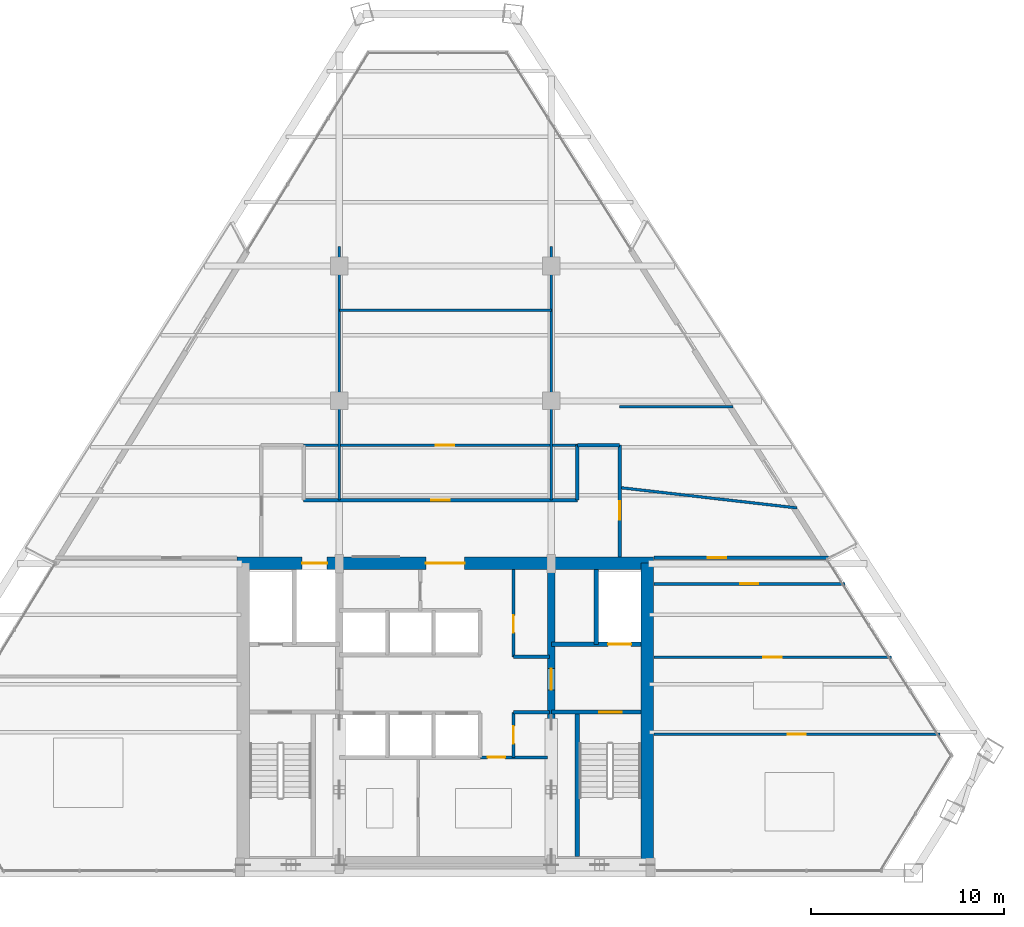
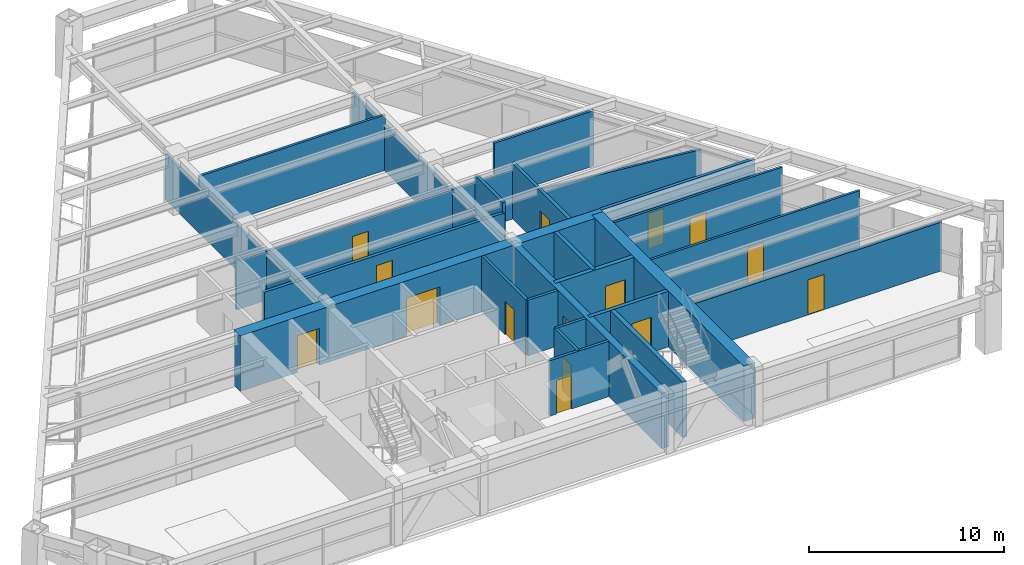
# One storey, part 12 of 15: 26 walls, 15 doors, 15 openings.
"""IFC4 building model written with IfcOpenShell, lengths in metres."""

from ifc_helpers import new_model, si_unit, direction, frame, frame_2d, origin, place, context, subcontext, project, spatial, rectangle, extrude, source, transform, mapped, material, layer, layer_set, type_object, type_shapes, element, fill, save


model = new_model("IFC4")

# Units and contexts
model_context = context("Model", 3, precision=1e-05, world=origin(), true_north=direction((0.0, 1.0)))
body_context = subcontext(model_context, "Body", "Model", "MODEL_VIEW")
ifc_project = project(units=[si_unit("LENGTHUNIT", "METRE"), si_unit("AREAUNIT", "SQUARE_METRE"), si_unit("VOLUMEUNIT", "CUBIC_METRE"), si_unit("PLANEANGLEUNIT", "RADIAN"), si_unit("MASSUNIT", "GRAM", prefix="KILO")], contexts=[model_context])

# Site, building, storey
site_placement = place(None, origin())
site = spatial("IfcSite", under=ifc_project, at=site_placement, CompositionType="ELEMENT")
building_placement = place(site_placement, origin())
building = spatial("IfcBuilding", under=site, at=building_placement, Name="Varnakhor Terracotta Tower", CompositionType="ELEMENT")
storey_placement = place(building_placement, frame((0.0, 0.0, 196.89990234375)))
storey = spatial("IfcBuildingStorey", under=building, at=storey_placement, Name="L50", CompositionType="ELEMENT", Elevation=196.89990234375)

# Wall, openings, doors
ifc_material_1 = material(Name="Concrete C50/60", Category="concrete")
ifc_layer_1 = layer(ifc_material_1, 0.64990234375, Name="Concrete C50/60")
ifc_layer_set_1 = layer_set([ifc_layer_1], Name="Concrete C50/60")
wall_type_1 = type_object("IfcWallType", Name="WAL-CORE-650", PredefinedType="SHEAR", material=ifc_layer_set_1)
wall_1_placement = place(storey_placement, frame((-10.800048828125, 16.074951171875, 0.0), z_axis=(0.0, 0.0, 1.0), x_axis=(1.0, 0.0, 0.0)))
wall_1 = element("IfcWall", 1, at=wall_1_placement, inside=storey, type_object=wall_type_1, Name="L50 North Core Shear Wall", PredefinedType="SHEAR", context=body_context, shape_type="SweptSolid", body=[
    extrude(rectangle(XDim=21.60009765625, YDim=0.64990234375, at=frame_2d((10.800048828125, 0.0))), origin(), (0.0, 0.0, 1.0), 3.47021484375),
])
opening_1_placement = place(wall_1_placement, frame((3.3701171875, 0.0, 0.0)))
opening_1 = element("IfcOpeningElement", 2, at=opening_1_placement, cuts=wall_1, Name="Opening LD-03", PredefinedType="OPENING", context=body_context, shape_type="SweptSolid", body=[
    extrude(rectangle(XDim=1.300048828125, YDim=2.300048828125, at=frame_2d((0.64990234375, 1.14990234375))), frame((0.0, 0.3349609375, 0.0), z_axis=(0.0, -1.0, 0.0), x_axis=(1.0, 0.0, 0.0)), (0.0, 0.0, 1.0), 0.669921875),
])
opening_2_placement = place(wall_1_placement, frame((9.800048828125, 0.0, 0.0)))
opening_2 = element("IfcOpeningElement", 3, at=opening_2_placement, cuts=wall_1, Name="Opening DR-32", PredefinedType="OPENING", context=body_context, shape_type="SweptSolid", body=[
    extrude(rectangle(XDim=2.0, YDim=2.39990234375, at=frame_2d((1.0, 1.199951171875))), frame((0.0, 0.3349609375, 0.0), z_axis=(0.0, -1.0, 0.0), x_axis=(1.0, 0.0, 0.0)), (0.0, 0.0, 1.0), 0.669921875),
])
ifc_material_2 = material(Name="Heavy-Duty Goods Sliding Lift Landing Door", Category="steel")
door_type_1 = type_object("IfcDoorType", Name="LD-SRV-1300X2300", OperationType="NOTDEFINED", PredefinedType="DOOR", material=ifc_material_2)
shared_shape_1 = source(origin(), body_context, "Body", "SweptSolid", [
    extrude(rectangle(XDim=1.300048828125, YDim=2.300048828125, at=frame_2d((0.64990234375, 1.14990234375))), frame((0.0, 0.02490234375, 0.0), z_axis=(0.0, -1.0, 0.0), x_axis=(1.0, 0.0, 0.0)), (0.0, 0.0, 1.0), 0.050048828125),
])
type_shapes(door_type_1, [shared_shape_1])
door_1_placement = place(opening_1_placement, origin())
door_1 = element("IfcDoor", 4, at=door_1_placement, inside=storey, type_object=door_type_1, Name="L50 Service Lift SVL-1 Landing Door", OperationType="SLIDING_TO_RIGHT", OverallHeight=2.300048828125, OverallWidth=1.300048828125, PredefinedType="DOOR", context=body_context, shape_type="MappedRepresentation", body=[
    mapped(shared_shape_1, transform((0.0, 0.0, 0.0), scale=1.0)),
])
fill(opening_1, door_1)
ifc_material_3 = material(Name="Acoustic Double Assembly Fire Door", Category="wood")
door_type_2 = type_object("IfcDoorType", Name="DR-HALL-2000X2400", OperationType="NOTDEFINED", PredefinedType="DOOR", material=ifc_material_3)
shared_shape_2 = source(origin(), body_context, "Body", "SweptSolid", [
    extrude(rectangle(XDim=2.0, YDim=2.39990234375, at=frame_2d((1.0, 1.199951171875))), frame((0.0, 0.02490234375, 0.0), z_axis=(0.0, -1.0, 0.0), x_axis=(1.0, 0.0, 0.0)), (0.0, 0.0, 1.0), 0.050048828125),
])
type_shapes(door_type_2, [shared_shape_2])
door_2_placement = place(opening_2_placement, origin())
door_2 = element("IfcDoor", 5, at=door_2_placement, inside=storey, type_object=door_type_2, Name="L50 Core Main Lobby Double Door", OperationType="DOUBLE_DOOR_SINGLE_SWING", OverallHeight=2.39990234375, OverallWidth=2.0, PredefinedType="DOOR", context=body_context, shape_type="MappedRepresentation", body=[
    mapped(shared_shape_2, transform((0.0, 0.0, 0.0), scale=1.0)),
])
fill(opening_2, door_2)

# Wall
wall_2_placement = place(storey_placement, frame((10.47509765625, 0.52490234375, 0.0), z_axis=(0.0, 0.0, 1.0), x_axis=(0.0, 1.0, 0.0)))
element("IfcWall", 6, at=wall_2_placement, inside=storey, type_object=wall_type_1, Name="L50 East Core Shear Wall", PredefinedType="SHEAR", context=body_context, shape_type="SweptSolid", body=[
    extrude(rectangle(XDim=15.550048828125, YDim=0.64990234375, at=frame_2d((7.77490234375, 0.0))), origin(), (0.0, 0.0, 1.0), 3.47021484375),
])

# Wall, opening, door
ifc_layer_2 = layer(ifc_material_1, 0.39990234375, Name="Concrete C50/60")
ifc_layer_set_2 = layer_set([ifc_layer_2], Name="Concrete C50/60")
wall_type_2 = type_object("IfcWallType", Name="WAL-CORE-WEB-400", PredefinedType="SHEAR", material=ifc_layer_set_2)
wall_3_placement = place(storey_placement, frame((5.5, 0.52490234375, 0.0), z_axis=(0.0, 0.0, 1.0), x_axis=(0.0, 1.0, 0.0)))
wall_3 = element("IfcWall", 7, at=wall_3_placement, inside=storey, type_object=wall_type_2, Name="L50 East Core Web Shear Wall", PredefinedType="SHEAR", context=body_context, shape_type="SweptSolid", body=[
    extrude(rectangle(XDim=15.550048828125, YDim=0.39990234375, at=frame_2d((7.77490234375, 0.0))), origin(), (0.0, 0.0, 1.0), 3.47021484375),
])
opening_3_placement = place(wall_3_placement, frame((8.97509765625, 0.0, 0.0)))
opening_3 = element("IfcOpeningElement", 8, at=opening_3_placement, cuts=wall_3, Name="Opening DR-25", PredefinedType="OPENING", context=body_context, shape_type="SweptSolid", body=[
    extrude(rectangle(XDim=1.10009765625, YDim=2.199951171875, at=frame_2d((0.550048828125, 1.10009765625))), frame((0.0, 0.2099609375, 0.0), z_axis=(0.0, -1.0, 0.0), x_axis=(1.0, 0.0, 0.0)), (0.0, 0.0, 1.0), 0.419921875),
])
ifc_material_4 = material(Name="Firefighting Lobby Self-Closing Fire Door", Category="steel")
door_type_3 = type_object("IfcDoorType", Name="DR-FFL-1100X2200", OperationType="NOTDEFINED", PredefinedType="DOOR", material=ifc_material_4)
shared_shape_3 = source(origin(), body_context, "Body", "SweptSolid", [
    extrude(rectangle(XDim=1.10009765625, YDim=2.199951171875, at=frame_2d((0.550048828125, 1.10009765625))), frame((0.0, 0.02490234375, 0.0), z_axis=(0.0, -1.0, 0.0), x_axis=(1.0, 0.0, 0.0)), (0.0, 0.0, 1.0), 0.050048828125),
])
type_shapes(door_type_3, [shared_shape_3])
door_3_placement = place(opening_3_placement, origin())
door_3 = element("IfcDoor", 9, at=door_3_placement, inside=storey, type_object=door_type_3, Name="L50 East Firefighting Lobby Door", OperationType="SINGLE_SWING_RIGHT", OverallHeight=2.199951171875, OverallWidth=1.10009765625, PredefinedType="DOOR", context=body_context, shape_type="MappedRepresentation", body=[
    mapped(shared_shape_3, transform((0.0, 0.0, 0.0), scale=1.0)),
])
fill(opening_3, door_3)

ifc_material_5 = material(Name="Fire-Rated Gypsum Stud Partition", Category="gypsum")
ifc_layer_3 = layer(ifc_material_5, 0.18505859375, Name="Fire-Rated Gypsum Stud Partition")
ifc_layer_set_3 = layer_set([ifc_layer_3], Name="Fire-Rated Gypsum Stud Partition")
wall_type_3 = type_object("IfcWallType", Name="WAL-CORR-185", PredefinedType="PARTITIONING", material=ifc_layer_set_3)
wall_4_placement = place(storey_placement, frame((-7.35009765625, 19.35009765625, 0.0), z_axis=(0.0, 0.0, 1.0), x_axis=(1.0, 0.0, 0.0)))
wall_4 = element("IfcWall", 10, at=wall_4_placement, inside=storey, type_object=wall_type_3, Name="L50 Central Gallery Link Wall", PredefinedType="PARTITIONING", context=body_context, shape_type="SweptSolid", body=[
    extrude(rectangle(XDim=14.2001953125, YDim=0.18505859375, at=frame_2d((7.10009765625, 0.0))), origin(), (0.0, 0.0, 1.0), 2.84619140625),
])
opening_4_placement = place(wall_4_placement, frame((6.625, 0.0, 0.0)))
opening_4 = element("IfcOpeningElement", 11, at=opening_4_placement, cuts=wall_4, Name="Opening DR-94", PredefinedType="OPENING", context=body_context, shape_type="SweptSolid", body=[
    extrude(rectangle(XDim=0.949951171875, YDim=2.199951171875, at=frame_2d((0.47509765625, 1.10009765625))), frame((0.0, 0.1025390625, 0.0), z_axis=(0.0, -1.0, 0.0), x_axis=(1.0, 0.0, 0.0)), (0.0, 0.0, 1.0), 0.205078125),
])
ifc_material_6 = material(Name="Acoustic Glazed-Vision Timber Office Door", Category="wood")
door_type_4 = type_object("IfcDoorType", Name="DR-OFF-950X2200", OperationType="NOTDEFINED", PredefinedType="DOOR", material=ifc_material_6)
shared_shape_4 = source(origin(), body_context, "Body", "SweptSolid", [
    extrude(rectangle(XDim=0.949951171875, YDim=2.199951171875, at=frame_2d((0.47509765625, 1.10009765625))), frame((0.0, 0.02490234375, 0.0), z_axis=(0.0, -1.0, 0.0), x_axis=(1.0, 0.0, 0.0)), (0.0, 0.0, 1.0), 0.050048828125),
])
type_shapes(door_type_4, [shared_shape_4])
door_4_placement = place(opening_4_placement, origin())
door_4 = element("IfcDoor", 12, at=door_4_placement, inside=storey, type_object=door_type_4, Name="L50 Center Suite Door", OperationType="SINGLE_SWING_RIGHT", OverallHeight=2.199951171875, OverallWidth=0.949951171875, PredefinedType="DOOR", context=body_context, shape_type="MappedRepresentation", body=[
    mapped(shared_shape_4, transform((0.0, 0.0, 0.0), scale=1.0)),
])
fill(opening_4, door_4)

# Wall
wall_5_placement = place(storey_placement, frame((6.85009765625, 19.35009765625, 0.0), z_axis=(0.0, 0.0, 1.0), x_axis=(0.0, 1.0, 0.0)))
element("IfcWall", 13, at=wall_5_placement, inside=storey, type_object=wall_type_3, Name="L50 East Gallery Inner Wall", PredefinedType="PARTITIONING", context=body_context, shape_type="SweptSolid", body=[
    extrude(rectangle(XDim=2.849853515625, YDim=0.18505859375, at=frame_2d((1.4248046875, 0.0))), origin(), (0.0, 0.0, 1.0), 3.462158203125),
])

# Wall, opening, door
wall_6_placement = place(storey_placement, frame((9.050048828125, 16.39990234375, 0.0), z_axis=(0.0, 0.0, 1.0), x_axis=(0.0, 1.0, 0.0)))
wall_6 = element("IfcWall", 14, at=wall_6_placement, inside=storey, type_object=wall_type_3, Name="L50 East Gallery Outer Wall", PredefinedType="PARTITIONING", context=body_context, shape_type="SweptSolid", body=[
    extrude(rectangle(XDim=5.800048828125, YDim=0.18505859375, at=frame_2d((2.89990234375, 0.0))), origin(), (0.0, 0.0, 1.0), 3.462158203125),
])
opening_5_placement = place(wall_6_placement, frame((1.943359375, 0.0, 0.0)))
opening_5 = element("IfcOpeningElement", 15, at=opening_5_placement, cuts=wall_6, Name="Opening DR-94", PredefinedType="OPENING", context=body_context, shape_type="SweptSolid", body=[
    extrude(rectangle(XDim=0.949951171875, YDim=2.199951171875, at=frame_2d((0.47509765625, 1.10009765625))), frame((0.0, 0.1025390625, 0.0), z_axis=(0.0, -1.0, 0.0), x_axis=(1.0, 0.0, 0.0)), (0.0, 0.0, 1.0), 0.205078125),
])
door_5_placement = place(opening_5_placement, origin())
door_5 = element("IfcDoor", 16, at=door_5_placement, inside=storey, type_object=door_type_4, Name="L50 East Wing Door", OperationType="SINGLE_SWING_RIGHT", OverallHeight=2.199951171875, OverallWidth=0.949951171875, PredefinedType="DOOR", context=body_context, shape_type="MappedRepresentation", body=[
    mapped(shared_shape_4, transform((0.0, 0.0, 0.0), scale=1.0)),
])
fill(opening_5, door_5)

# Wall
wall_7_placement = place(storey_placement, frame((6.85009765625, 22.199951171875, 0.0), z_axis=(0.0, 0.0, 1.0), x_axis=(1.0, 0.0, 0.0)))
element("IfcWall", 17, at=wall_7_placement, inside=storey, type_object=wall_type_3, Name="L50 East Gallery North End", PredefinedType="PARTITIONING", context=body_context, shape_type="SweptSolid", body=[
    extrude(rectangle(XDim=2.199951171875, YDim=0.18505859375, at=frame_2d((1.10009765625, 0.0))), origin(), (0.0, 0.0, 1.0), 3.049072265625),
])

# Wall, opening, door
wall_8_placement = place(storey_placement, frame((10.820068359375, 16.35009765625, 0.0), z_axis=(0.0, 0.0, 1.0), x_axis=(1.0, 0.0, 0.0)))
wall_8 = element("IfcWall", 18, at=wall_8_placement, inside=storey, type_object=wall_type_3, Name="L50 South East Entry Wall", PredefinedType="PARTITIONING", context=body_context, shape_type="SweptSolid", body=[
    extrude(rectangle(XDim=9.071044921875, YDim=0.18505859375, at=frame_2d((4.53564453125, 0.0))), origin(), (0.0, 0.0, 1.0), 3.462158203125),
])
opening_6_placement = place(wall_8_placement, frame((2.8017578125, 0.0, 0.0)))
opening_6 = element("IfcOpeningElement", 19, at=opening_6_placement, cuts=wall_8, Name="Opening DR-94", PredefinedType="OPENING", context=body_context, shape_type="SweptSolid", body=[
    extrude(rectangle(XDim=0.949951171875, YDim=2.199951171875, at=frame_2d((0.47509765625, 1.10009765625))), frame((0.0, 0.1025390625, 0.0), z_axis=(0.0, -1.0, 0.0), x_axis=(1.0, 0.0, 0.0)), (0.0, 0.0, 1.0), 0.205078125),
])
door_6_placement = place(opening_6_placement, origin())
door_6 = element("IfcDoor", 20, at=door_6_placement, inside=storey, type_object=door_type_4, Name="L50 SE Suite Door", OperationType="SINGLE_SWING_RIGHT", OverallHeight=2.199951171875, OverallWidth=0.949951171875, PredefinedType="DOOR", context=body_context, shape_type="MappedRepresentation", body=[
    mapped(shared_shape_4, transform((0.0, 0.0, 0.0), scale=1.0)),
])
fill(opening_6, door_6)

ifc_material_7 = material(Name="Concrete C40/50", Category="concrete")
ifc_layer_4 = layer(ifc_material_7, 0.219970703125, Name="Concrete C40/50")
ifc_layer_set_4 = layer_set([ifc_layer_4], Name="Concrete C40/50")
wall_type_4 = type_object("IfcWallType", Name="WAL-FFLOBBY-220", PredefinedType="SOLIDWALL", material=ifc_layer_set_4)
wall_9_placement = place(storey_placement, frame((10.14990234375, 8.35009765625, 0.0), z_axis=(0.0, 0.0, 1.0), x_axis=(-1.0, 0.0, 0.0)))
wall_9 = element("IfcWall", 21, at=wall_9_placement, inside=storey, type_object=wall_type_4, Name="L50 East Firefighting Lobby Stair Wall", PredefinedType="SOLIDWALL", context=body_context, shape_type="SweptSolid", body=[
    extrude(rectangle(XDim=4.64990234375, YDim=0.219970703125, at=frame_2d((2.324951171875, 0.0))), origin(), (0.0, 0.0, 1.0), 3.47021484375),
])
opening_7_placement = place(wall_9_placement, frame((1.0, 0.0, 0.0)))
opening_7 = element("IfcOpeningElement", 22, at=opening_7_placement, cuts=wall_9, Name="Opening DR-34", PredefinedType="OPENING", context=body_context, shape_type="SweptSolid", body=[
    extrude(rectangle(XDim=1.14990234375, YDim=2.199951171875, at=frame_2d((0.574951171875, 1.10009765625))), frame((0.0, 0.1201171875, 0.0), z_axis=(0.0, -1.0, 0.0), x_axis=(1.0, 0.0, 0.0)), (0.0, 0.0, 1.0), 0.239990234375),
])
ifc_material_8 = material(Name="Self-Closing Smoke-Sealed Steel Fire Door", Category="steel")
door_type_5 = type_object("IfcDoorType", Name="DR-STAIR-1150X2200", OperationType="NOTDEFINED", PredefinedType="DOOR", material=ifc_material_8)
shared_shape_5 = source(origin(), body_context, "Body", "SweptSolid", [
    extrude(rectangle(XDim=1.14990234375, YDim=2.199951171875, at=frame_2d((0.574951171875, 1.10009765625))), frame((0.0, 0.02490234375, 0.0), z_axis=(0.0, -1.0, 0.0), x_axis=(1.0, 0.0, 0.0)), (0.0, 0.0, 1.0), 0.050048828125),
])
type_shapes(door_type_5, [shared_shape_5])
door_7_placement = place(opening_7_placement, origin())
door_7 = element("IfcDoor", 23, at=door_7_placement, inside=storey, type_object=door_type_5, Name="L50 Exit Stair ST-2 Fire Door", OperationType="SINGLE_SWING_LEFT", OverallHeight=2.199951171875, OverallWidth=1.14990234375, PredefinedType="DOOR", context=body_context, shape_type="MappedRepresentation", body=[
    mapped(shared_shape_5, transform((0.0, 0.0, 0.0), scale=1.0)),
])
fill(opening_7, door_7)

ifc_material_9 = material(Name="Acoustic Metal-Stud Partition", Category="gypsum")
ifc_layer_5 = layer(ifc_material_9, 0.139892578125, Name="Acoustic Metal-Stud Partition")
ifc_layer_set_5 = layer_set([ifc_layer_5], Name="Acoustic Metal-Stud Partition")
wall_type_5 = type_object("IfcWallType", Name="WAL-PART-140", PredefinedType="PARTITIONING", material=ifc_layer_set_5)
wall_10_placement = place(storey_placement, frame((-7.35009765625, 22.199951171875, 0.0), z_axis=(0.0, 0.0, 1.0), x_axis=(1.0, 0.0, 0.0)))
wall_10 = element("IfcWall", 24, at=wall_10_placement, inside=storey, type_object=wall_type_5, Name="L50 Gallery Center Cap Wall", PredefinedType="PARTITIONING", context=body_context, shape_type="SweptSolid", body=[
    extrude(rectangle(XDim=14.2001953125, YDim=0.139892578125, at=frame_2d((7.10009765625, 0.0))), origin(), (0.0, 0.0, 1.0), 3.049072265625),
])
opening_8_placement = place(wall_10_placement, frame((6.863037109375, 0.0, 0.0)))
opening_8 = element("IfcOpeningElement", 25, at=opening_8_placement, cuts=wall_10, Name="Opening DR-94", PredefinedType="OPENING", context=body_context, shape_type="SweptSolid", body=[
    extrude(rectangle(XDim=0.949951171875, YDim=2.199951171875, at=frame_2d((0.47509765625, 1.10009765625))), frame((0.0, 0.080078125, 0.0), z_axis=(0.0, -1.0, 0.0), x_axis=(1.0, 0.0, 0.0)), (0.0, 0.0, 1.0), 0.159912109375),
])
door_8_placement = place(opening_8_placement, origin())
door_8 = element("IfcDoor", 26, at=door_8_placement, inside=storey, type_object=door_type_4, Name="L50 Seminar Meeting Room 1 Door", OperationType="SINGLE_SWING_LEFT", OverallHeight=2.199951171875, OverallWidth=0.949951171875, PredefinedType="DOOR", context=body_context, shape_type="MappedRepresentation", body=[
    mapped(shared_shape_4, transform((0.0, 0.0, 0.0), scale=1.0)),
])
fill(opening_8, door_8)

# Walls
for number, where, z_axis, x_axis, name in (
    (27, (-5.5, 19.35009765625, 0.0), (0.0, 0.0, 1.0), (0.0, 1.0, 0.0), "L50 Center West Column Wall"),
    (28, (5.5, 19.35009765625, 0.0), (0.0, 0.0, 1.0), (0.0, 1.0, 0.0), "L50 Center East Column Wall"),
):
    element("IfcWall", number, at=place(storey_placement, frame(where, z_axis=z_axis, x_axis=x_axis)), inside=storey, type_object=wall_type_5, Name=name, PredefinedType="PARTITIONING", context=body_context, shape_type="SweptSolid", body=[
        extrude(rectangle(XDim=13.14990234375, YDim=0.139892578125, at=frame_2d((6.574951171875, 0.0))), origin(), (0.0, 0.0, 1.0), 2.84619140625),
    ])
wall_11_placement = place(storey_placement, frame((-5.5, 29.199951171875, 0.0), z_axis=(0.0, 0.0, 1.0), x_axis=(1.0, 0.0, 0.0)))
element("IfcWall", 29, at=wall_11_placement, inside=storey, type_object=wall_type_5, Name="L50 Center Cross Cut 1", PredefinedType="PARTITIONING", context=body_context, shape_type="SweptSolid", body=[
    extrude(rectangle(XDim=11.0, YDim=0.139892578125, at=frame_2d((5.5, 0.0))), origin(), (0.0, 0.0, 1.0), 3.462158203125),
])

# Wall, opening, door
wall_12_placement = place(storey_placement, frame((10.820068359375, 7.199951171875, 0.0), z_axis=(0.0, 0.0, 1.0), x_axis=(1.0, 0.0, 0.0)))
wall_12 = element("IfcWall", 30, at=wall_12_placement, inside=storey, type_object=wall_type_5, Name="L50 East Wing Cut 1", PredefinedType="PARTITIONING", context=body_context, shape_type="SweptSolid", body=[
    extrude(rectangle(XDim=14.853759765625, YDim=0.139892578125, at=frame_2d((7.4267578125, 0.0))), origin(), (0.0, 0.0, 1.0), 3.049072265625),
])
opening_9_placement = place(wall_12_placement, frame((6.944580078125, 0.0, 0.0)))
opening_9 = element("IfcOpeningElement", 31, at=opening_9_placement, cuts=wall_12, Name="Opening DR-94", PredefinedType="OPENING", context=body_context, shape_type="SweptSolid", body=[
    extrude(rectangle(XDim=0.949951171875, YDim=2.199951171875, at=frame_2d((0.47509765625, 1.10009765625))), frame((0.0, 0.080078125, 0.0), z_axis=(0.0, -1.0, 0.0), x_axis=(1.0, 0.0, 0.0)), (0.0, 0.0, 1.0), 0.159912109375),
])
door_9_placement = place(opening_9_placement, origin())
door_9 = element("IfcDoor", 32, at=door_9_placement, inside=storey, type_object=door_type_4, Name="L50 Fitness Yoga Gym 1 SE Door", OperationType="SINGLE_SWING_LEFT", OverallHeight=2.199951171875, OverallWidth=0.949951171875, PredefinedType="DOOR", context=body_context, shape_type="MappedRepresentation", body=[
    mapped(shared_shape_4, transform((0.0, 0.0, 0.0), scale=1.0)),
])
fill(opening_9, door_9)

wall_13_placement = place(storey_placement, frame((10.820068359375, 11.199951171875, 0.0), z_axis=(0.0, 0.0, 1.0), x_axis=(1.0, 0.0, 0.0)))
wall_13 = element("IfcWall", 33, at=wall_13_placement, inside=storey, type_object=wall_type_5, Name="L50 East Wing Cut 2", PredefinedType="PARTITIONING", context=body_context, shape_type="SweptSolid", body=[
    extrude(rectangle(XDim=12.32568359375, YDim=0.139892578125, at=frame_2d((6.162841796875, 0.0))), origin(), (0.0, 0.0, 1.0), 3.462158203125),
])
opening_10_placement = place(wall_13_placement, frame((5.6806640625, 0.0, 0.0)))
opening_10 = element("IfcOpeningElement", 34, at=opening_10_placement, cuts=wall_13, Name="Opening DR-94", PredefinedType="OPENING", context=body_context, shape_type="SweptSolid", body=[
    extrude(rectangle(XDim=0.949951171875, YDim=2.199951171875, at=frame_2d((0.47509765625, 1.10009765625))), frame((0.0, 0.080078125, 0.0), z_axis=(0.0, -1.0, 0.0), x_axis=(1.0, 0.0, 0.0)), (0.0, 0.0, 1.0), 0.159912109375),
])
door_10_placement = place(opening_10_placement, origin())
door_10 = element("IfcDoor", 35, at=door_10_placement, inside=storey, type_object=door_type_4, Name="L50 Staff Dining Kitchen 1 B3 Door", OperationType="SINGLE_SWING_RIGHT", OverallHeight=2.199951171875, OverallWidth=0.949951171875, PredefinedType="DOOR", context=body_context, shape_type="MappedRepresentation", body=[
    mapped(shared_shape_4, transform((0.0, 0.0, 0.0), scale=1.0)),
])
fill(opening_10, door_10)

wall_14_placement = place(storey_placement, frame((10.820068359375, 15.0, 0.0), z_axis=(0.0, 0.0, 1.0), x_axis=(1.0, 0.0, 0.0)))
wall_14 = element("IfcWall", 36, at=wall_14_placement, inside=storey, type_object=wall_type_5, Name="L50 East Wing Cut 3", PredefinedType="PARTITIONING", context=body_context, shape_type="SweptSolid", body=[
    extrude(rectangle(XDim=9.924072265625, YDim=0.139892578125, at=frame_2d((4.9619140625, 0.0))), origin(), (0.0, 0.0, 1.0), 3.462158203125),
])
opening_11_placement = place(wall_14_placement, frame((4.47998046875, 0.0, 0.0)))
opening_11 = element("IfcOpeningElement", 37, at=opening_11_placement, cuts=wall_14, Name="Opening DR-94", PredefinedType="OPENING", context=body_context, shape_type="SweptSolid", body=[
    extrude(rectangle(XDim=0.949951171875, YDim=2.199951171875, at=frame_2d((0.47509765625, 1.10009765625))), frame((0.0, 0.080078125, 0.0), z_axis=(0.0, -1.0, 0.0), x_axis=(1.0, 0.0, 0.0)), (0.0, 0.0, 1.0), 0.159912109375),
])
door_11_placement = place(opening_11_placement, origin())
door_11 = element("IfcDoor", 38, at=door_11_placement, inside=storey, type_object=door_type_4, Name="L50 Juice Bar Kitchen 2 B4 Door", OperationType="SINGLE_SWING_RIGHT", OverallHeight=2.199951171875, OverallWidth=0.949951171875, PredefinedType="DOOR", context=body_context, shape_type="MappedRepresentation", body=[
    mapped(shared_shape_4, transform((0.0, 0.0, 0.0), scale=1.0)),
])
fill(opening_11, door_11)

# Walls
wall_15_placement = place(storey_placement, frame((9.050048828125, 20.0, 0.0), z_axis=(0.0, 0.0, 1.0), x_axis=(0.993499490383, -0.113836560952, 0.0)))
element("IfcWall", 39, at=wall_15_placement, inside=storey, type_object=wall_type_5, Name="L50 East Wing Cut 4", PredefinedType="PARTITIONING", context=body_context, shape_type="SweptSolid", body=[
    extrude(rectangle(XDim=9.2607421875, YDim=0.139892578125, at=frame_2d((4.63037109375, 0.0))), origin(), (0.0, 0.0, 1.0), 3.049072265625),
])
wall_16_placement = place(storey_placement, frame((9.050048828125, 24.199951171875, 0.0), z_axis=(0.0, 0.0, 1.0), x_axis=(1.0, 0.0, 0.0)))
element("IfcWall", 40, at=wall_16_placement, inside=storey, type_object=wall_type_5, Name="L50 East Wing Cut 5", PredefinedType="PARTITIONING", context=body_context, shape_type="SweptSolid", body=[
    extrude(rectangle(XDim=5.879638671875, YDim=0.139892578125, at=frame_2d((2.93994140625, 0.0))), origin(), (0.0, 0.0, 1.0), 3.462158203125),
])
ifc_layer_6 = layer(ifc_material_7, 0.219970703125, Name="Concrete C40/50")
ifc_layer_set_6 = layer_set([ifc_layer_6], Name="Concrete C40/50")
wall_type_6 = type_object("IfcWallType", Name="WAL-SHAFT-220", PredefinedType="SOLIDWALL", material=ifc_layer_set_6)
wall_17_placement = place(storey_placement, frame((7.840087890625, 11.8701171875, 0.0), z_axis=(0.0, 0.0, 1.0), x_axis=(0.0, 1.0, 0.0)))
element("IfcWall", 41, at=wall_17_placement, inside=storey, type_object=wall_type_6, Name="L50 Lift FFL-2 and Riser Divider Wall", PredefinedType="SOLIDWALL", context=body_context, shape_type="SweptSolid", body=[
    extrude(rectangle(XDim=3.8798828125, YDim=0.219970703125, at=frame_2d((1.93994140625, 0.0))), origin(), (0.0, 0.0, 1.0), 3.47021484375),
])
ifc_layer_7 = layer(ifc_material_7, 0.25, Name="Concrete C40/50")
ifc_layer_set_7 = layer_set([ifc_layer_7], Name="Concrete C40/50")
wall_type_7 = type_object("IfcWallType", Name="WAL-SHAFT-250", PredefinedType="SOLIDWALL", material=ifc_layer_set_7)
wall_18_placement = place(storey_placement, frame((6.85009765625, 0.85009765625, 0.0), z_axis=(0.0, 0.0, 1.0), x_axis=(0.0, 1.0, 0.0)))
element("IfcWall", 42, at=wall_18_placement, inside=storey, type_object=wall_type_7, Name="L50 Stair ST-2 Bearing Shaft Wall", PredefinedType="SOLIDWALL", context=body_context, shape_type="SweptSolid", body=[
    extrude(rectangle(XDim=7.5, YDim=0.25, at=frame_2d((3.75, 0.0))), origin(), (0.0, 0.0, 1.0), 3.47021484375),
])

# Wall, opening, door
wall_19_placement = place(storey_placement, frame((10.14990234375, 11.8701171875, 0.0), z_axis=(0.0, 0.0, 1.0), x_axis=(-1.0, 0.0, 0.0)))
wall_19 = element("IfcWall", 43, at=wall_19_placement, inside=storey, type_object=wall_type_7, Name="L50 Lift FFL-2 Shaft Front Wall", PredefinedType="SOLIDWALL", context=body_context, shape_type="SweptSolid", body=[
    extrude(rectangle(XDim=4.64990234375, YDim=0.25, at=frame_2d((2.324951171875, 0.0))), origin(), (0.0, 0.0, 1.0), 3.47021484375),
])
opening_12_placement = place(wall_19_placement, frame((0.5, 0.0, 0.0)))
opening_12 = element("IfcOpeningElement", 44, at=opening_12_placement, cuts=wall_19, Name="Opening LD-02", PredefinedType="OPENING", context=body_context, shape_type="SweptSolid", body=[
    extrude(rectangle(XDim=1.199951171875, YDim=2.25, at=frame_2d((0.60009765625, 1.125))), frame((0.0, 0.135009765625, 0.0), z_axis=(0.0, -1.0, 0.0), x_axis=(1.0, 0.0, 0.0)), (0.0, 0.0, 1.0), 0.27001953125),
])
ifc_material_10 = material(Name="Firefighting Stretcher Sliding Lift Landing Door", Category="steel")
door_type_6 = type_object("IfcDoorType", Name="LD-FFL-1200X2250", OperationType="NOTDEFINED", PredefinedType="DOOR", material=ifc_material_10)
shared_shape_6 = source(origin(), body_context, "Body", "SweptSolid", [
    extrude(rectangle(XDim=1.199951171875, YDim=2.25, at=frame_2d((0.60009765625, 1.125))), frame((0.0, 0.02490234375, 0.0), z_axis=(0.0, -1.0, 0.0), x_axis=(1.0, 0.0, 0.0)), (0.0, 0.0, 1.0), 0.050048828125),
])
type_shapes(door_type_6, [shared_shape_6])
door_12_placement = place(opening_12_placement, origin())
door_12 = element("IfcDoor", 45, at=door_12_placement, inside=storey, type_object=door_type_6, Name="L50 Firefighting Lift FFL-2 Landing Door", OperationType="SLIDING_TO_RIGHT", OverallHeight=2.25, OverallWidth=1.199951171875, PredefinedType="DOOR", context=body_context, shape_type="MappedRepresentation", body=[
    mapped(shared_shape_6, transform((0.0, 0.0, 0.0), scale=1.0)),
])
fill(opening_12, door_12)

ifc_material_11 = material(Name="Acoustic Fire-Rated Partition", Category="gypsum")
ifc_layer_8 = layer(ifc_material_11, 0.1650390625, Name="Acoustic Fire-Rated Partition")
ifc_layer_set_8 = layer_set([ifc_layer_8], Name="Acoustic Fire-Rated Partition")
wall_type_8 = type_object("IfcWallType", Name="WAL-TENANCY-165", PredefinedType="PARTITIONING", material=ifc_layer_set_8)
wall_20_placement = place(storey_placement, frame((1.820068359375, 6.0, 0.0), z_axis=(0.0, 0.0, 1.0), x_axis=(1.0, 0.0, 0.0)))
wall_20 = element("IfcWall", 46, at=wall_20_placement, inside=storey, type_object=wall_type_8, Name="L50 Reclaimed Core Bay North Rated Wall", PredefinedType="PARTITIONING", context=body_context, shape_type="SweptSolid", body=[
    extrude(rectangle(XDim=3.47998046875, YDim=0.1650390625, at=frame_2d((1.739990234375, 0.0))), origin(), (0.0, 0.0, 1.0), 3.462158203125),
])
opening_13_placement = place(wall_20_placement, frame((0.3798828125, 0.0, 0.0)))
opening_13 = element("IfcOpeningElement", 47, at=opening_13_placement, cuts=wall_20, Name="Opening DR-67", PredefinedType="OPENING", context=body_context, shape_type="SweptSolid", body=[
    extrude(rectangle(XDim=0.89990234375, YDim=2.10009765625, at=frame_2d((0.449951171875, 1.050048828125))), frame((0.0, 0.092529296875, 0.0), z_axis=(0.0, -1.0, 0.0), x_axis=(1.0, 0.0, 0.0)), (0.0, 0.0, 1.0), 0.18505859375),
])
ifc_material_12 = material(Name="Steel Service Riser Fire Door", Category="steel")
door_type_7 = type_object("IfcDoorType", Name="DR-RISER-900X2100", OperationType="NOTDEFINED", PredefinedType="DOOR", material=ifc_material_12)
shared_shape_7 = source(origin(), body_context, "Body", "SweptSolid", [
    extrude(rectangle(XDim=0.89990234375, YDim=2.10009765625, at=frame_2d((0.449951171875, 1.050048828125))), frame((0.0, 0.02490234375, 0.0), z_axis=(0.0, -1.0, 0.0), x_axis=(1.0, 0.0, 0.0)), (0.0, 0.0, 1.0), 0.050048828125),
])
type_shapes(door_type_7, [shared_shape_7])
door_13_placement = place(opening_13_placement, origin())
door_13 = element("IfcDoor", 48, at=door_13_placement, inside=storey, type_object=door_type_7, Name="L50 Core Reclaimed Suite Door", OperationType="SINGLE_SWING_LEFT", OverallHeight=2.10009765625, OverallWidth=0.89990234375, PredefinedType="DOOR", context=body_context, shape_type="MappedRepresentation", body=[
    mapped(shared_shape_7, transform((0.0, 0.0, 0.0), scale=1.0)),
])
fill(opening_13, door_13)

wall_21_placement = place(storey_placement, frame((3.5400390625, 6.0, 0.0), z_axis=(0.0, 0.0, 1.0), x_axis=(0.0, 1.0, 0.0)))
wall_21 = element("IfcWall", 49, at=wall_21_placement, inside=storey, type_object=wall_type_8, Name="L50 Accessible WC Rated Wall", PredefinedType="PARTITIONING", context=body_context, shape_type="SweptSolid", body=[
    extrude(rectangle(XDim=2.340087890625, YDim=0.1650390625, at=frame_2d((1.169921875, 0.0))), origin(), (0.0, 0.0, 1.0), 3.462158203125),
])
opening_14_placement = place(wall_21_placement, frame((0.719970703125, 0.0, 0.0)))
opening_14 = element("IfcOpeningElement", 50, at=opening_14_placement, cuts=wall_21, Name="Opening DR-67", PredefinedType="OPENING", context=body_context, shape_type="SweptSolid", body=[
    extrude(rectangle(XDim=0.89990234375, YDim=2.10009765625, at=frame_2d((0.449951171875, 1.050048828125))), frame((0.0, 0.092529296875, 0.0), z_axis=(0.0, -1.0, 0.0), x_axis=(1.0, 0.0, 0.0)), (0.0, 0.0, 1.0), 0.18505859375),
])
door_14_placement = place(opening_14_placement, origin())
door_14 = element("IfcDoor", 51, at=door_14_placement, inside=storey, type_object=door_type_7, Name="L50 Accessible WC Door", OperationType="SINGLE_SWING_LEFT", OverallHeight=2.10009765625, OverallWidth=0.89990234375, PredefinedType="DOOR", context=body_context, shape_type="MappedRepresentation", body=[
    mapped(shared_shape_7, transform((0.0, 0.0, 0.0), scale=1.0)),
])
fill(opening_14, door_14)

# Wall
wall_22_placement = place(storey_placement, frame((3.5400390625, 8.340087890625, 0.0), z_axis=(0.0, 0.0, 1.0), x_axis=(1.0, 0.0, 0.0)))
element("IfcWall", 52, at=wall_22_placement, inside=storey, type_object=wall_type_8, Name="L50 Accessible WC North Wall", PredefinedType="PARTITIONING", context=body_context, shape_type="SweptSolid", body=[
    extrude(rectangle(XDim=1.8798828125, YDim=0.1650390625, at=frame_2d((0.93994140625, 0.0))), origin(), (0.0, 0.0, 1.0), 3.462158203125),
])

# Wall, opening, door
wall_23_placement = place(storey_placement, frame((3.5400390625, 11.219970703125, 0.0), z_axis=(0.0, 0.0, 1.0), x_axis=(0.0, 1.0, 0.0)))
wall_23 = element("IfcWall", 53, at=wall_23_placement, inside=storey, type_object=wall_type_8, Name="L50 Restroom Corridor Wall", PredefinedType="PARTITIONING", context=body_context, shape_type="SweptSolid", body=[
    extrude(rectangle(XDim=4.530029296875, YDim=0.1650390625, at=frame_2d((2.26513671875, 0.0))), origin(), (0.0, 0.0, 1.0), 3.462158203125),
])
opening_15_placement = place(wall_23_placement, frame((1.25, 0.0, 0.0)))
opening_15 = element("IfcOpeningElement", 54, at=opening_15_placement, cuts=wall_23, Name="Opening DR-67", PredefinedType="OPENING", context=body_context, shape_type="SweptSolid", body=[
    extrude(rectangle(XDim=0.89990234375, YDim=2.10009765625, at=frame_2d((0.449951171875, 1.050048828125))), frame((0.0, 0.092529296875, 0.0), z_axis=(0.0, -1.0, 0.0), x_axis=(1.0, 0.0, 0.0)), (0.0, 0.0, 1.0), 0.18505859375),
])
door_15_placement = place(opening_15_placement, origin())
door_15 = element("IfcDoor", 55, at=door_15_placement, inside=storey, type_object=door_type_7, Name="L50 Female WC Door", OperationType="SINGLE_SWING_LEFT", OverallHeight=2.10009765625, OverallWidth=0.89990234375, PredefinedType="DOOR", context=body_context, shape_type="MappedRepresentation", body=[
    mapped(shared_shape_7, transform((0.0, 0.0, 0.0), scale=1.0)),
])
fill(opening_15, door_15)

# Wall
wall_24_placement = place(storey_placement, frame((3.5400390625, 11.219970703125, 0.0), z_axis=(0.0, 0.0, 1.0), x_axis=(1.0, 0.0, 0.0)))
element("IfcWall", 56, at=wall_24_placement, inside=storey, type_object=wall_type_8, Name="L50 Restroom South Wall", PredefinedType="PARTITIONING", context=body_context, shape_type="SweptSolid", body=[
    extrude(rectangle(XDim=1.8798828125, YDim=0.1650390625, at=frame_2d((0.93994140625, 0.0))), origin(), (0.0, 0.0, 1.0), 3.462158203125),
])

save(model, "model.ifc")
